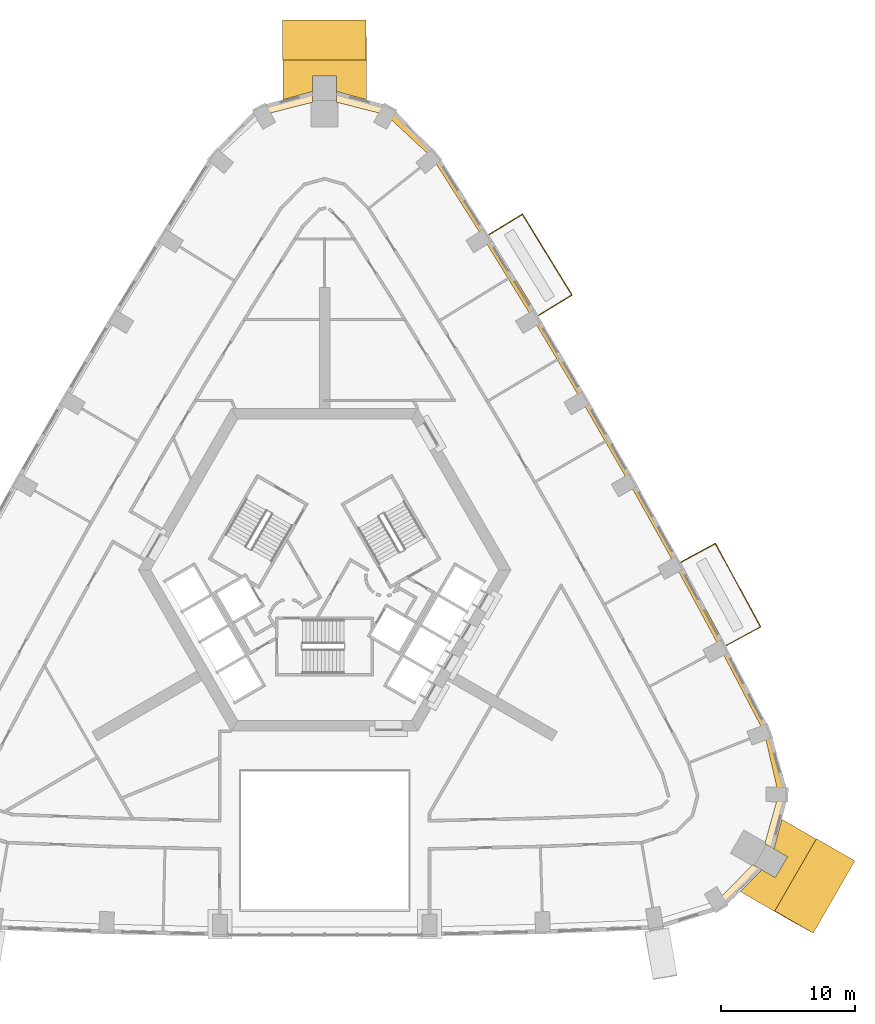
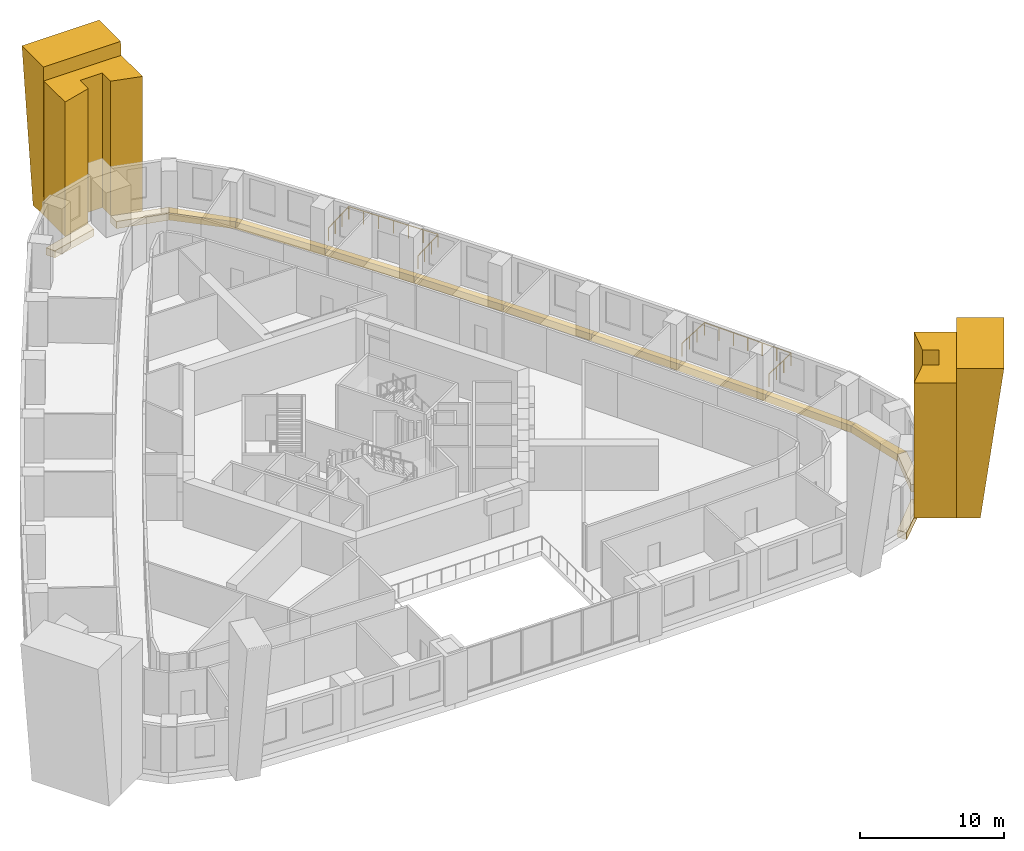
# One storey, part 15 of 15: 17 coverings, 2 railings.
"""IFC4 building model written with IfcOpenShell, lengths in metres."""

from ifc_helpers import new_model, si_unit, direction, frame, origin, origin_2d, place, context, subcontext, project, spatial, polyline, circle, outline, extrude, material, type_object, element, save


model = new_model("IFC4")

# Units and contexts
model_context = context("Model", 3, precision=1e-05, world=origin(), true_north=direction((0.0, 1.0)))
body_context = subcontext(model_context, "Body", "Model", "MODEL_VIEW")
ifc_project = project(units=[si_unit("LENGTHUNIT", "METRE"), si_unit("AREAUNIT", "SQUARE_METRE"), si_unit("VOLUMEUNIT", "CUBIC_METRE"), si_unit("PLANEANGLEUNIT", "RADIAN"), si_unit("MASSUNIT", "GRAM", prefix="KILO")], contexts=[model_context])

# Site, building, storey
site_placement = place(None, origin())
site = spatial("IfcSite", under=ifc_project, at=site_placement, CompositionType="ELEMENT")
building_placement = place(site_placement, origin())
building = spatial("IfcBuilding", under=site, at=building_placement, Name="Entoto Arch Interchange Tower", CompositionType="ELEMENT")
storey_placement = place(building_placement, frame((0.0, 0.0, 150.800048828125)))
storey = spatial("IfcBuildingStorey", under=building, at=storey_placement, Name="L33", CompositionType="ELEMENT", Elevation=150.800048828125)

# Railings
ifc_material_1 = material(Name="Stainless steel 1.4301", Category="steel")
railing_type = type_object("IfcRailingType", Name="GUARD 1100 STEEL AND GLASS", PredefinedType="GUARDRAIL", material=ifc_material_1)
railing_1_placement = place(storey_placement, frame((29.827880859375, -3.14794921875, 0.0)))
element("IfcRailing", 1, at=railing_1_placement, inside=storey, type_object=railing_type, Name="Balcony guard NE-02 L33", PredefinedType="GUARDRAIL", context=body_context, shape_type="SweptSolid", body=[
    extrude(circle(Radius=0.02392578125, at=origin_2d()), frame((0.0, 0.0, 1.076171875), z_axis=(0.878946606197, 0.476920185624, 0.0), x_axis=(-0.476920185624, 0.878946606197, 0.0)), (0.0, 0.0, 1.0), 2.9501953125),
    extrude(circle(Radius=0.02392578125, at=origin_2d()), frame((2.593017578125, 1.406982421875, 1.076171875), z_axis=(-0.476890330652, 0.878962804976, 0.0), x_axis=(-0.878962804976, -0.476890330652, 0.0)), (0.0, 0.0, 1.0), 7.05810546875),
    extrude(circle(Radius=0.02392578125, at=origin_2d()), frame((-0.77294921875, 7.61083984375, 1.076171875), z_axis=(-0.878946606197, -0.476920185624, 0.0), x_axis=(0.476920185624, -0.878946606197, 0.0)), (0.0, 0.0, 1.0), 2.9501953125),
    extrude(circle(Radius=0.02099609375, at=origin_2d()), origin(), (0.0, 0.0, 1.0), 1.052001953125),
    extrude(circle(Radius=0.02099609375, at=origin_2d()), frame((0.8642578125, 0.468994140625, 0.0)), (0.0, 0.0, 1.0), 1.052001953125),
    extrude(circle(Radius=0.02099609375, at=origin_2d()), frame((1.728759765625, 0.93798828125, 0.0)), (0.0, 0.0, 1.0), 1.052001953125),
    extrude(circle(Radius=0.02099609375, at=origin_2d()), frame((2.593017578125, 1.406982421875, 0.0)), (0.0, 0.0, 1.0), 1.052001953125),
    extrude(circle(Radius=0.02099609375, at=origin_2d()), frame((2.031982421875, 2.44091796875, 0.0)), (0.0, 0.0, 1.0), 1.052001953125),
    extrude(circle(Radius=0.02099609375, at=origin_2d()), frame((1.470947265625, 3.474853515625, 0.0)), (0.0, 0.0, 1.0), 1.052001953125),
    extrude(circle(Radius=0.02099609375, at=origin_2d()), frame((0.91015625, 4.5087890625, 0.0)), (0.0, 0.0, 1.0), 1.052001953125),
    extrude(circle(Radius=0.02099609375, at=origin_2d()), frame((0.34912109375, 5.54296875, 0.0)), (0.0, 0.0, 1.0), 1.052001953125),
    extrude(circle(Radius=0.02099609375, at=origin_2d()), frame((-0.2119140625, 6.576904296875, 0.0)), (0.0, 0.0, 1.0), 1.052001953125),
    extrude(circle(Radius=0.02099609375, at=origin_2d()), frame((-0.77294921875, 7.61083984375, 0.0)), (0.0, 0.0, 1.0), 1.052001953125),
    extrude(circle(Radius=0.02099609375, at=origin_2d()), frame((-1.63720703125, 7.141845703125, 0.0)), (0.0, 0.0, 1.0), 1.052001953125),
    extrude(circle(Radius=0.02099609375, at=origin_2d()), frame((-2.501708984375, 6.6728515625, 0.0)), (0.0, 0.0, 1.0), 1.052001953125),
    extrude(circle(Radius=0.02099609375, at=origin_2d()), frame((-3.365966796875, 6.203857421875, 0.0)), (0.0, 0.0, 1.0), 1.052001953125),
])
railing_2_placement = place(storey_placement, frame((15.876953125, 21.388916015625, 0.0)))
element("IfcRailing", 2, at=railing_2_placement, inside=storey, type_object=railing_type, Name="Balcony guard NE-06 L33", PredefinedType="GUARDRAIL", context=body_context, shape_type="SweptSolid", body=[
    extrude(circle(Radius=0.02392578125, at=origin_2d()), frame((0.0, 0.0, 1.076171875), z_axis=(0.852532262405, 0.522674603897, 0.0), x_axis=(-0.522674603897, 0.852532262405, 0.0)), (0.0, 0.0, 1.0), 2.9501953125),
    extrude(circle(Radius=0.02392578125, at=origin_2d()), frame((2.51513671875, 1.5419921875, 1.076171875), z_axis=(-0.522759170442, 0.852480410167, 0.0), x_axis=(-0.852480410167, -0.522759170442, 0.0)), (0.0, 0.0, 1.0), 7.05712890625),
    extrude(circle(Radius=0.02392578125, at=origin_2d()), frame((-1.174072265625, 7.55810546875, 1.076171875), z_axis=(-0.852509652536, -0.522711480965, 0.0), x_axis=(0.522711480965, -0.852509652536, 0.0)), (0.0, 0.0, 1.0), 2.949951171875),
    extrude(circle(Radius=0.02099609375, at=origin_2d()), origin(), (0.0, 0.0, 1.0), 1.052001953125),
    extrude(circle(Radius=0.02099609375, at=origin_2d()), frame((0.83837890625, 0.513916015625, 0.0)), (0.0, 0.0, 1.0), 1.052001953125),
    extrude(circle(Radius=0.02099609375, at=origin_2d()), frame((1.6767578125, 1.028076171875, 0.0)), (0.0, 0.0, 1.0), 1.052001953125),
    extrude(circle(Radius=0.02099609375, at=origin_2d()), frame((2.51513671875, 1.5419921875, 0.0)), (0.0, 0.0, 1.0), 1.052001953125),
    extrude(circle(Radius=0.02099609375, at=origin_2d()), frame((1.900390625, 2.544677734375, 0.0)), (0.0, 0.0, 1.0), 1.052001953125),
    extrude(circle(Radius=0.02099609375, at=origin_2d()), frame((1.285400390625, 3.54736328125, 0.0)), (0.0, 0.0, 1.0), 1.052001953125),
    extrude(circle(Radius=0.02099609375, at=origin_2d()), frame((0.67041015625, 4.550048828125, 0.0)), (0.0, 0.0, 1.0), 1.052001953125),
    extrude(circle(Radius=0.02099609375, at=origin_2d()), frame((0.0556640625, 5.552734375, 0.0)), (0.0, 0.0, 1.0), 1.052001953125),
    extrude(circle(Radius=0.02099609375, at=origin_2d()), frame((-0.55908203125, 6.555419921875, 0.0)), (0.0, 0.0, 1.0), 1.052001953125),
    extrude(circle(Radius=0.02099609375, at=origin_2d()), frame((-1.174072265625, 7.55810546875, 0.0)), (0.0, 0.0, 1.0), 1.052001953125),
    extrude(circle(Radius=0.02099609375, at=origin_2d()), frame((-2.012451171875, 7.044189453125, 0.0)), (0.0, 0.0, 1.0), 1.052001953125),
    extrude(circle(Radius=0.02099609375, at=origin_2d()), frame((-2.8505859375, 6.530029296875, 0.0)), (0.0, 0.0, 1.0), 1.052001953125),
    extrude(circle(Radius=0.02099609375, at=origin_2d()), frame((-3.68896484375, 6.01611328125, 0.0)), (0.0, 0.0, 1.0), 1.052001953125),
])

# Coverings
ifc_material_2 = material(Name="Board-marked precast concrete C50/60", Category="concrete")
covering_type_1 = type_object("IfcCoveringType", Name="PRECAST FRAME COURSE", PredefinedType="CLADDING", material=ifc_material_2)
covering_1_placement = place(storey_placement, frame((0.0, 0.0, -0.400146484375)))
element("IfcCovering", 3, at=covering_1_placement, inside=storey, type_object=covering_type_1, Name="Corner pilaster SE L33-L35", PredefinedType="CLADDING", context=body_context, shape_type="SweptSolid", body=[
    extrude(outline(polyline([(36.549072265625, -17.52099609375), (33.448974609375, -22.89111328125), (30.89111328125, -21.4140625), (32.514892578125, -19.81103515625), (33.509033203125, -20.385009765625), (34.408935546875, -18.826904296875), (33.4150390625, -18.2529296875), (33.990966796875, -16.0439453125), (36.549072265625, -17.52099609375)])), origin(), (0.0, 0.0, 1.0), 11.400146484375),
])
covering_2_placement = place(storey_placement, frame((0.0, 0.0, -0.400146484375)))
element("IfcCovering", 4, at=covering_2_placement, inside=storey, type_object=covering_type_1, Name="Corner pilaster N L33-L35", PredefinedType="CLADDING", context=body_context, shape_type="SweptSolid", body=[
    extrude(outline(polyline([(-3.10009765625, 40.412109375), (3.10009765625, 40.412109375), (3.10009765625, 37.4580078125), (0.89990234375, 38.06396484375), (0.89990234375, 39.2119140625), (-0.89990234375, 39.2119140625), (-0.89990234375, 38.06396484375), (-3.10009765625, 37.4580078125), (-3.10009765625, 40.412109375)])), origin(), (0.0, 0.0, 1.0), 11.400146484375),
])
covering_3_placement = place(storey_placement, frame((33.448974609375, -22.89111328125, -0.400146484375), z_axis=(-0.500044000516, -0.865994689611, 0.003032344498), x_axis=(0.865998671287, -0.500046299185, 1.24491e-07)))
element("IfcCovering", 5, at=covering_3_placement, inside=storey, type_object=covering_type_1, Name="Corner rib SE L33-L35", PredefinedType="CLADDING", context=body_context, shape_type="SweptSolid", body=[
    extrude(outline(polyline([(0.0, 0.0), (1.6615853820053477, -4.336808689942018e-19), (3.297805964934262, 12.600155175762051), (-0.00011034554267025941, 12.600155793178745), (0.0, 0.0)])), origin(), (0.0, 0.0, -1.0), 6.199951171875),
])
covering_4_placement = place(storey_placement, frame((3.10009765625, 40.412109375, -0.400146484375), z_axis=(0.999995431764, 0.0, 0.003022656217), x_axis=(0.0, 1.0, 0.0)))
element("IfcCovering", 6, at=covering_4_placement, inside=storey, type_object=covering_type_1, Name="Corner rib N L33-L35", PredefinedType="CLADDING", context=body_context, shape_type="SweptSolid", body=[
    extrude(outline(polyline([(0.0, 0.0), (1.495849609375, 0.0), (2.968994140625, 12.600155216729355), (0.0, 12.600155216729355), (0.0, 0.0)])), origin(), (0.0, 0.0, -1.0), 6.199951171875),
])
covering_type_2 = type_object("IfcCoveringType", Name="PRECAST LEDGE COURSE", PredefinedType="CLADDING", material=ifc_material_2)
covering_5_placement = place(storey_placement, frame((0.0, 0.0, -1.0)))
element("IfcCovering", 7, at=covering_5_placement, inside=storey, type_object=covering_type_2, Name="Precast course SE-02 L33", PredefinedType="CLADDING", context=body_context, shape_type="SweptSolid", body=[
    extrude(outline(polyline([(31.821044921875, -19.410888671875), (32.514892578125, -19.81103515625), (29.551025390625, -22.735107421875), (29.176025390625, -22.1201171875), (31.821044921875, -19.410888671875)])), origin(), (0.0, 0.0, 1.0), 0.599853515625),
])
covering_6_placement = place(storey_placement, frame((0.0, 0.0, -1.0)))
element("IfcCovering", 8, at=covering_6_placement, inside=storey, type_object=covering_type_2, Name="Precast course SE-03 L33", PredefinedType="CLADDING", context=body_context, shape_type="SweptSolid", body=[
    extrude(outline(polyline([(33.7451171875, -14.20703125), (34.465087890625, -14.22412109375), (33.4150390625, -18.2529296875), (32.720947265625, -17.85205078125), (33.7451171875, -14.20703125)])), origin(), (0.0, 0.0, 1.0), 0.599853515625),
])
covering_7_placement = place(storey_placement, frame((0.0, 0.0, -1.0)))
element("IfcCovering", 9, at=covering_7_placement, inside=storey, type_object=covering_type_2, Name="Precast course SE-04 L33", PredefinedType="CLADDING", context=body_context, shape_type="SweptSolid", body=[
    extrude(outline(polyline([(32.68994140625, -9.611083984375), (33.135986328125, -9.446044921875), (34.465087890625, -14.22412109375), (33.7451171875, -14.20703125), (32.68994140625, -9.611083984375)])), origin(), (0.0, 0.0, 1.0), 0.599853515625),
])
covering_8_placement = place(storey_placement, frame((0.0, 0.0, -1.0)))
element("IfcCovering", 10, at=covering_8_placement, inside=storey, type_object=covering_type_2, Name="Precast course NE-01 L33", PredefinedType="CLADDING", context=body_context, shape_type="SweptSolid", body=[
    extrude(outline(polyline([(29.419921875, -3.364990234375), (29.827880859375, -3.14794921875), (33.135986328125, -9.446044921875), (32.68994140625, -9.611083984375), (29.419921875, -3.364990234375)])), origin(), (0.0, 0.0, 1.0), 0.599853515625),
])
covering_9_placement = place(storey_placement, frame((0.0, 0.0, -1.0)))
element("IfcCovering", 11, at=covering_9_placement, inside=storey, type_object=covering_type_2, Name="Precast course NE-02 L33", PredefinedType="CLADDING", context=body_context, shape_type="SweptSolid", body=[
    extrude(outline(polyline([(26.06396484375, 2.8369140625), (26.4619140625, 3.055908203125), (29.827880859375, -3.14794921875), (29.419921875, -3.364990234375), (26.06396484375, 2.8369140625)])), origin(), (0.0, 0.0, 1.0), 0.599853515625),
])
covering_10_placement = place(storey_placement, frame((0.0, 0.0, -1.0)))
element("IfcCovering", 12, at=covering_10_placement, inside=storey, type_object=covering_type_2, Name="Precast course NE-03 L33", PredefinedType="CLADDING", context=body_context, shape_type="SweptSolid", body=[
    extrude(outline(polyline([(22.623046875, 8.990966796875), (23.014892578125, 9.214111328125), (26.4619140625, 3.055908203125), (26.06396484375, 2.8369140625), (22.623046875, 8.990966796875)])), origin(), (0.0, 0.0, 1.0), 0.599853515625),
])
covering_11_placement = place(storey_placement, frame((0.0, 0.0, -1.0)))
element("IfcCovering", 13, at=covering_11_placement, inside=storey, type_object=covering_type_2, Name="Precast course NE-04 L33", PredefinedType="CLADDING", context=body_context, shape_type="SweptSolid", body=[
    extrude(outline(polyline([(19.097900390625, 15.096923828125), (19.486083984375, 15.324951171875), (23.014892578125, 9.214111328125), (22.623046875, 8.990966796875), (19.097900390625, 15.096923828125)])), origin(), (0.0, 0.0, 1.0), 0.599853515625),
])
covering_12_placement = place(storey_placement, frame((0.0, 0.0, -1.0)))
element("IfcCovering", 14, at=covering_12_placement, inside=storey, type_object=covering_type_2, Name="Precast course NE-05 L33", PredefinedType="CLADDING", context=body_context, shape_type="SweptSolid", body=[
    extrude(outline(polyline([(15.489013671875, 21.154052734375), (15.876953125, 21.388916015625), (19.486083984375, 15.324951171875), (19.097900390625, 15.096923828125), (15.489013671875, 21.154052734375)])), origin(), (0.0, 0.0, 1.0), 0.599853515625),
])
covering_13_placement = place(storey_placement, frame((0.0, 0.0, -1.0)))
element("IfcCovering", 15, at=covering_13_placement, inside=storey, type_object=covering_type_2, Name="Precast course NE-06 L33", PredefinedType="CLADDING", context=body_context, shape_type="SweptSolid", body=[
    extrude(outline(polyline([(11.7958984375, 27.160888671875), (12.18798828125, 27.405029296875), (15.876953125, 21.388916015625), (15.489013671875, 21.154052734375), (11.7958984375, 27.160888671875)])), origin(), (0.0, 0.0, 1.0), 0.599853515625),
])
covering_14_placement = place(storey_placement, frame((0.0, 0.0, -1.0)))
element("IfcCovering", 16, at=covering_14_placement, inside=storey, type_object=covering_type_2, Name="Precast course NE-07 L33", PredefinedType="CLADDING", context=body_context, shape_type="SweptSolid", body=[
    extrude(outline(polyline([(8.02099609375, 33.115966796875), (8.386962890625, 33.419921875), (12.18798828125, 27.405029296875), (11.7958984375, 27.160888671875), (8.02099609375, 33.115966796875)])), origin(), (0.0, 0.0, 1.0), 0.599853515625),
])
covering_15_placement = place(storey_placement, frame((0.0, 0.0, -1.0)))
element("IfcCovering", 17, at=covering_15_placement, inside=storey, type_object=covering_type_2, Name="Precast course N-01 L33", PredefinedType="CLADDING", context=body_context, shape_type="SweptSolid", body=[
    extrude(outline(polyline([(4.569091796875, 36.326904296875), (4.9140625, 36.958984375), (8.386962890625, 33.419921875), (8.02099609375, 33.115966796875), (4.569091796875, 36.326904296875)])), origin(), (0.0, 0.0, 1.0), 0.599853515625),
])
covering_16_placement = place(storey_placement, frame((0.0, 0.0, -1.0)))
element("IfcCovering", 18, at=covering_16_placement, inside=storey, type_object=covering_type_2, Name="Precast course N-02 L33", PredefinedType="CLADDING", context=body_context, shape_type="SweptSolid", body=[
    extrude(outline(polyline([(0.89990234375, 37.262939453125), (0.89990234375, 38.06396484375), (4.9140625, 36.958984375), (4.569091796875, 36.326904296875), (0.89990234375, 37.262939453125)])), origin(), (0.0, 0.0, 1.0), 0.599853515625),
])
covering_17_placement = place(storey_placement, frame((0.0, 0.0, -1.0)))
element("IfcCovering", 19, at=covering_17_placement, inside=storey, type_object=covering_type_2, Name="Precast course N-03 L33", PredefinedType="CLADDING", context=body_context, shape_type="SweptSolid", body=[
    extrude(outline(polyline([(-4.569091796875, 36.326904296875), (-4.9140625, 36.958984375), (-0.89990234375, 38.06396484375), (-0.89990234375, 37.262939453125), (-4.569091796875, 36.326904296875)])), origin(), (0.0, 0.0, 1.0), 0.599853515625),
])

save(model, "model.ifc")
